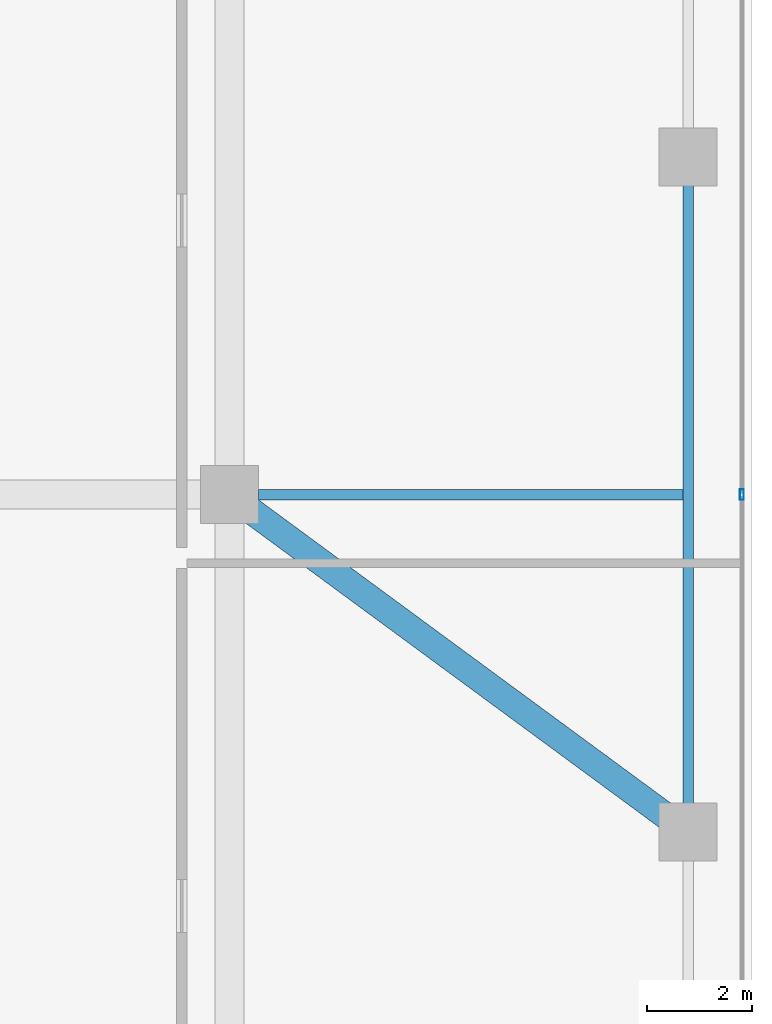
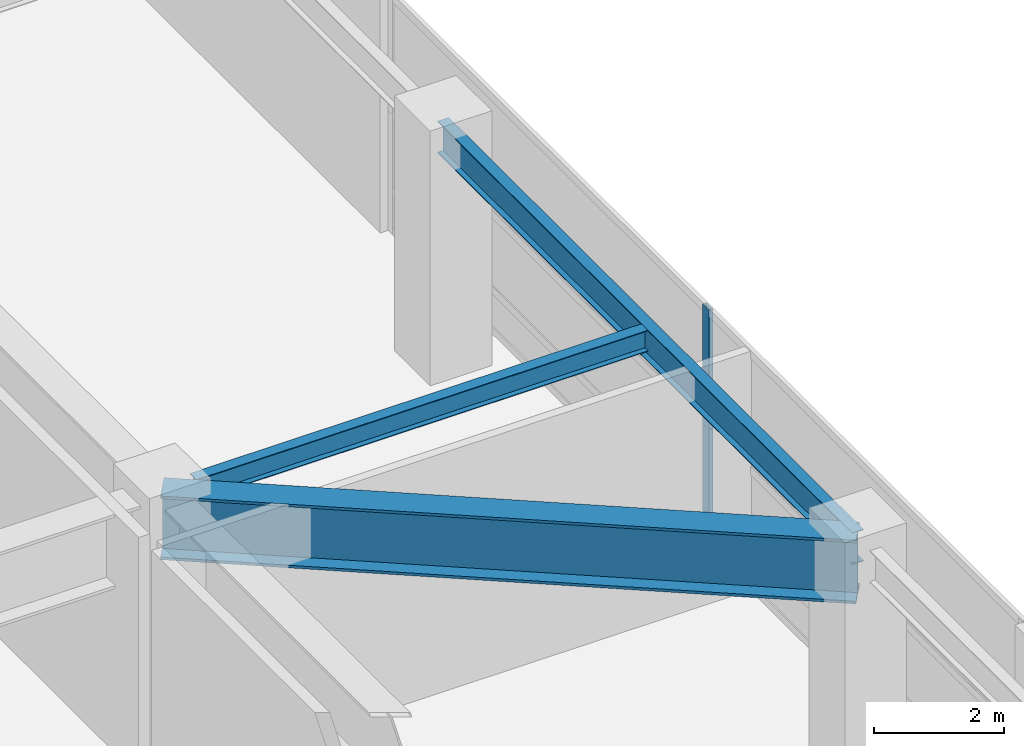
# One storey, part 25 of 34: 3 beams, 2 members, 1 element without a shape of its own.
"""IFC4 building model written with IfcOpenShell, lengths in metres."""

from ifc_helpers import new_model, si_unit, direction, frame, origin, origin_2d, place, context, subcontext, project, spatial, hollow_rectangle, i_section, extrude, source, transform, mapped, material, layer, layer_set, material_profile, profile_set, type_object, element, aggregate, save


model = new_model("IFC4")

# Units and contexts
model_context = context("Model", 3, precision=1e-05, world=origin(), true_north=direction((0.0, 1.0)))
body_context = subcontext(model_context, "Body", "Model", "MODEL_VIEW")
ifc_project = project(units=[si_unit("LENGTHUNIT", "METRE"), si_unit("AREAUNIT", "SQUARE_METRE"), si_unit("VOLUMEUNIT", "CUBIC_METRE"), si_unit("PLANEANGLEUNIT", "RADIAN"), si_unit("MASSUNIT", "GRAM", prefix="KILO"), si_unit("THERMODYNAMICTEMPERATUREUNIT", "KELVIN"), si_unit("POWERUNIT", "WATT")], contexts=[model_context])

# Site, building, storey
site_placement = place(None, origin())
site = spatial("IfcSite", under=ifc_project, at=site_placement, CompositionType="ELEMENT")
building_placement = place(site_placement, origin())
building = spatial("IfcBuilding", under=site, at=building_placement, Name="Yuzanri Waterfront Tower", CompositionType="ELEMENT")
storey_placement = place(building_placement, frame((0.0, 0.0, 25.800048828125)))
storey = spatial("IfcBuildingStorey", under=building, at=storey_placement, Name="L06", CompositionType="ELEMENT", Elevation=25.800048828125)

# Beams
ifc_material_1 = material(Name="Steel Q355B", Category="steel")
ifc_material_profile_1 = material_profile(ifc_material_1, i_section(OverallWidth=0.199951171875, OverallDepth=0.60009765625, WebThickness=0.010986328125, FlangeThickness=0.01708984375, at=origin_2d()), Name="HN 600x200x11x17")
ifc_profile_set_1 = profile_set([ifc_material_profile_1], Name="Steel Q355B")
beam_type_1 = type_object("IfcBeamType", Name="Perimeter Spandrel Q355B HN 600x200", PredefinedType="SPANDREL", material=ifc_profile_set_1)
shared_shape_1 = source(origin(), body_context, "Body", "SweptSolid", [
    extrude(i_section(OverallWidth=0.199951171875, OverallDepth=0.60009765625, WebThickness=0.010986328125, FlangeThickness=0.01708984375, at=origin_2d()), origin(), (0.0, 0.0, 1.0), 12.800048828125),
])
beam_1_placement = place(storey_placement, frame((70.800048828125, 19.39990234375, 4.199951171875), z_axis=(0.0, 1.0, 0.0), x_axis=(-1.0, 0.0, 0.0)))
element("IfcBeam", 1, at=beam_1_placement, inside=storey, type_object=beam_type_1, Name="L06 East Podium Spandrel 2", PredefinedType="SPANDREL", context=body_context, shape_type="MappedRepresentation", body=[
    mapped(shared_shape_1, transform((0.0, 0.0, 0.0), scale=1.0)),
])
ifc_material_2 = material(Name="Steel Q420GJC", Category="steel")
ifc_material_profile_2 = material_profile(ifc_material_2, i_section(OverallWidth=0.5, OverallDepth=1.199951171875, WebThickness=0.028076171875, FlangeThickness=0.050048828125, at=origin_2d()), Name="PG 1200x500x28x50")
ifc_profile_set_2 = profile_set([ifc_material_profile_2], Name="Steel Q420GJC")
beam_type_2 = type_object("IfcBeamType", Name="Setback Transfer Girder Q420GJC PG 1200x500", PredefinedType="USERDEFINED", material=ifc_profile_set_2)
shared_shape_2 = source(origin(), body_context, "Body", "SweptSolid", [
    extrude(i_section(OverallWidth=0.5, OverallDepth=1.199951171875, WebThickness=0.028076171875, FlangeThickness=0.050048828125, at=origin_2d()), origin(), (0.0, 0.0, 1.0), 10.800537109375),
])
beam_2_placement = place(storey_placement, frame((62.10009765625, 25.800048828125, 3.89990234375), z_axis=(0.805512964712, -0.592578149851, 0.0), x_axis=(0.592578149851, 0.805512964712, 0.0)))
element("IfcBeam", 2, at=beam_2_placement, inside=storey, type_object=beam_type_2, Name="L06 Tower Base Transfer E2B", ObjectType="GIRDER", PredefinedType="USERDEFINED", context=body_context, shape_type="MappedRepresentation", body=[
    mapped(shared_shape_2, transform((0.0, 0.0, 0.0), scale=1.0)),
])
ifc_material_3 = material(Name="Steel Q355B", Category="steel")
ifc_material_profile_3 = material_profile(ifc_material_3, i_section(OverallWidth=0.199951171875, OverallDepth=0.39990234375, WebThickness=0.008056640625, FlangeThickness=0.012939453125, at=origin_2d()), Name="HN 400x200x8x13")
ifc_profile_set_3 = profile_set([ifc_material_profile_3], Name="Steel Q355B")
beam_type_3 = type_object("IfcBeamType", Name="Floor Joist Q355B HN 400x200", PredefinedType="JOIST", material=ifc_profile_set_3)
shared_shape_3 = source(origin(), body_context, "Body", "SweptSolid", [
    extrude(i_section(OverallWidth=0.199951171875, OverallDepth=0.39990234375, WebThickness=0.008056640625, FlangeThickness=0.012939453125, at=origin_2d()), origin(), (0.0, 0.0, 1.0), 8.050048828125),
])
beam_3_placement = place(storey_placement, frame((62.64990234375, 25.800048828125, 4.300048828125), z_axis=(1.0, 0.0, 0.0), x_axis=(0.0, 1.0, 0.0)))
element("IfcBeam", 3, at=beam_3_placement, inside=storey, type_object=beam_type_3, Name="L06 East Podium Roof Joist 2", PredefinedType="JOIST", context=body_context, shape_type="MappedRepresentation", body=[
    mapped(shared_shape_3, transform((0.0, 0.0, 0.0), scale=1.0)),
])

# Curtain wall, members
ifc_material_4 = material(Name="Anodized Architectural Bronze", Category="metal")
ifc_layer = layer(ifc_material_4, 0.159912109375)
ifc_layer_set = layer_set([ifc_layer], Name="Anodized Architectural Bronze")
curtain_wall_type = type_object("IfcCurtainWallType", Name="Anodized Bronze Podium Waterfront Double-Height Unitized Curtain Wall 8400", PredefinedType="NOTDEFINED", material=ifc_layer_set)
curtain_wall_placement = place(storey_placement, origin())
curtain_wall = element("IfcCurtainWall", 4, at=curtain_wall_placement, inside=storey, type_object=curtain_wall_type, Name="L06 Curtain Wall CW-L06-E", PredefinedType="NOTDEFINED")
ifc_material_5 = material(Name="Anodized Architectural Bronze", Category="metal")
ifc_material_profile_4 = material_profile(ifc_material_5, hollow_rectangle(XDim=0.074951171875, YDim=0.199951171875, WallThickness=0.00390625, at=origin_2d()), Name="CWM 75x200")
ifc_profile_set_4 = profile_set([ifc_material_profile_4], Name="Anodized Architectural Bronze")
member_type = type_object("IfcMemberType", Name="Anodized Bronze Primary Curtain-Wall Mullion 75x200", PredefinedType="MULLION", material=ifc_profile_set_4)
shared_shape_4 = source(origin(), body_context, "Body", "SweptSolid", [
    extrude(hollow_rectangle(XDim=0.074951171875, YDim=0.199951171875, WallThickness=0.00390625, at=origin_2d()), origin(), (0.0, 0.0, 1.0), 2.248046875),
])
member_1_placement = place(storey_placement, frame((71.820068359375, 25.800048828125, 0.0), z_axis=(0.0, 0.0, 1.0), x_axis=(1.0, 0.0, 0.0)))
member_1 = element("IfcMember", 5, at=member_1_placement, type_object=member_type, Name="CW-L06-E Lower Mullion 01", PredefinedType="MULLION", context=body_context, shape_type="MappedRepresentation", body=[
    mapped(shared_shape_4, transform((0.0, 0.0, 0.0), scale=1.0)),
])
member_2_placement = place(storey_placement, frame((71.820068359375, 25.800048828125, 2.251953125), z_axis=(0.0, 0.0, 1.0), x_axis=(1.0, 0.0, 0.0)))
member_2 = element("IfcMember", 6, at=member_2_placement, type_object=member_type, Name="CW-L06-E Upper Mullion 01", PredefinedType="MULLION", context=body_context, shape_type="MappedRepresentation", body=[
    mapped(shared_shape_4, transform((0.0, 0.0, 0.0), scale=1.0)),
])
aggregate(curtain_wall, [member_1, member_2])

save(model, "model.ifc")
